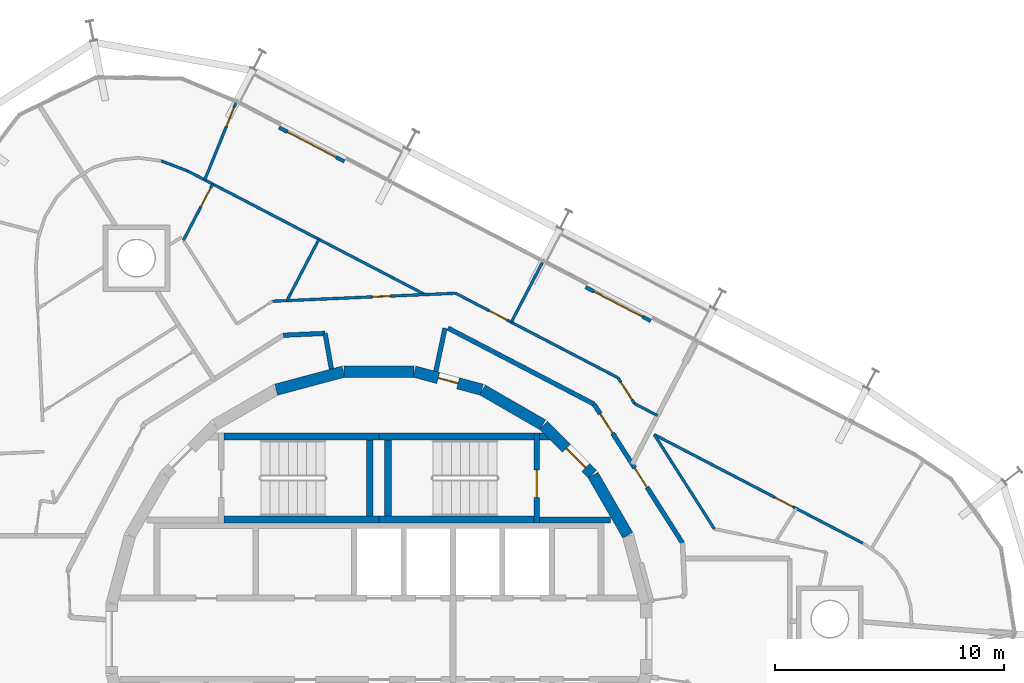
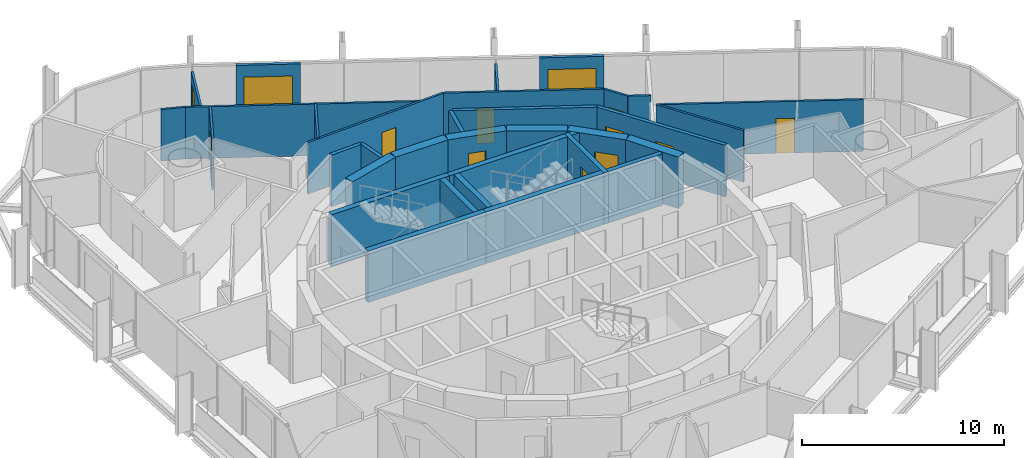
# One storey, part 16 of 18: 34 walls, 13 doors, 13 openings.
"""IFC4 building model written with IfcOpenShell, lengths in metres."""

from ifc_helpers import new_model, si_unit, direction, frame, frame_2d, origin, place, context, subcontext, project, spatial, polyline, rectangle, outline, extrude, material, layer, layer_set, type_object, element, fill, save


model = new_model("IFC4")

# Units and contexts
model_context = context("Model", 3, precision=1e-05, world=origin(), true_north=direction((0.0, 1.0)))
body_context = subcontext(model_context, "Body", "Model", "MODEL_VIEW")
ifc_project = project(units=[si_unit("LENGTHUNIT", "METRE"), si_unit("AREAUNIT", "SQUARE_METRE"), si_unit("VOLUMEUNIT", "CUBIC_METRE"), si_unit("PLANEANGLEUNIT", "RADIAN"), si_unit("MASSUNIT", "GRAM", prefix="KILO")], contexts=[model_context])

# Site, building, storey
site_placement = place(None, origin())
site = spatial("IfcSite", under=ifc_project, at=site_placement, CompositionType="ELEMENT")
building_placement = place(site_placement, origin())
building = spatial("IfcBuilding", under=site, at=building_placement, Name="Spindle Arch Residences", CompositionType="ELEMENT")
storey_placement = place(building_placement, frame((0.0, 0.0, 233.699951171875)))
storey = spatial("IfcBuildingStorey", under=building, at=storey_placement, Name="L59", CompositionType="ELEMENT", Elevation=233.699951171875)

# Wall
ifc_material_1 = material(Name="Concrete C50/60", Category="concrete")
ifc_layer_1 = layer(ifc_material_1, 0.5)
ifc_layer_set_1 = layer_set([ifc_layer_1], Name="Core outline wall 500")
wall_type_1 = type_object("IfcWallType", Name="Core outline wall 500", PredefinedType="SHEAR", material=ifc_layer_set_1)
wall_1_placement = place(storey_placement, frame((10.84521484375, 4.510498046875, 0.0), z_axis=(0.0, 0.0, 1.0), x_axis=(-0.500087131594, 0.865975092491, 0.0)))
element("IfcWall", 1, at=wall_1_placement, inside=storey, type_object=wall_type_1, Name="Core outline wall 8", PredefinedType="SHEAR", context=body_context, shape_type="SweptSolid", body=[
    extrude(rectangle(XDim=3.03271484375, YDim=0.5, at=frame_2d((1.516357421875, 0.0))), origin(), (0.0, 0.0, 1.0), 3.1201171875),
])

# Wall, opening, door
wall_2_placement = place(storey_placement, frame((9.30810546875, 7.163818359375, 0.0), z_axis=(0.0, 0.0, 1.0), x_axis=(-0.707106781187, 0.707106781187, 0.0)))
wall_2 = element("IfcWall", 2, at=wall_2_placement, inside=storey, type_object=wall_type_1, Name="Core outline wall 9", PredefinedType="SHEAR", context=body_context, shape_type="SweptSolid", body=[
    extrude(rectangle(XDim=3.032470703125, YDim=0.5, at=frame_2d((1.51611328125, 0.0))), origin(), (0.0, 0.0, 1.0), 3.1201171875),
])
opening_1_placement = place(wall_2_placement, frame((0.416259765625, 0.0, 0.0)))
opening_1 = element("IfcOpeningElement", 3, at=opening_1_placement, cuts=wall_2, Name="Opening R6A0-AD01", PredefinedType="OPENING", context=body_context, shape_type="SweptSolid", body=[
    extrude(rectangle(XDim=1.199951171875, YDim=2.10009765625, at=frame_2d((0.60009765625, 1.050048828125))), frame((0.0, 0.260009765625, 0.0), z_axis=(0.0, -1.0, 0.0), x_axis=(1.0, 0.0, 0.0)), (0.0, 0.0, 1.0), 0.52001953125),
])
ifc_material_2 = material(Name="Steel, fire-resisting door", Category="steel")
door_type_1 = type_object("IfcDoorType", Name="Stair airlock door 1200x2100", OperationType="SINGLE_SWING_LEFT", PredefinedType="DOOR", material=ifc_material_2)
door_1_placement = place(opening_1_placement, origin())
door_1 = element("IfcDoor", 4, at=door_1_placement, inside=storey, type_object=door_type_1, Name="Stair airlock door R6A0-AD01", OperationType="SINGLE_SWING_RIGHT", OverallHeight=2.10009765625, OverallWidth=1.199951171875, PredefinedType="DOOR", context=body_context, shape_type="SweptSolid", body=[
    extrude(rectangle(XDim=1.199951171875, YDim=2.10009765625, at=frame_2d((0.60009765625, 1.050048828125))), frame((0.0, 0.02490234375, 0.0), z_axis=(0.0, -1.0, 0.0), x_axis=(1.0, 0.0, 0.0)), (0.0, 0.0, 1.0), 0.050048828125),
])
fill(opening_1, door_1)

# Wall
wall_3_placement = place(storey_placement, frame((7.13671875, 9.32861328125, 0.0), z_axis=(0.0, 0.0, 1.0), x_axis=(-0.865975092491, 0.500087131594, 0.0)))
element("IfcWall", 5, at=wall_3_placement, inside=storey, type_object=wall_type_1, Name="Core outline wall 10", PredefinedType="SHEAR", context=body_context, shape_type="SweptSolid", body=[
    extrude(rectangle(XDim=3.03271484375, YDim=0.5, at=frame_2d((1.516357421875, 0.0))), origin(), (0.0, 0.0, 1.0), 3.1201171875),
])

# Wall, opening, door
wall_4_placement = place(storey_placement, frame((4.479248046875, 10.858154296875, 0.0), z_axis=(0.0, 0.0, 1.0), x_axis=(-0.965948410781, 0.258734743916, 0.0)))
wall_4 = element("IfcWall", 6, at=wall_4_placement, inside=storey, type_object=wall_type_1, Name="Core outline wall 11", PredefinedType="SHEAR", context=body_context, shape_type="SweptSolid", body=[
    extrude(rectangle(XDim=3.03271484375, YDim=0.5, at=frame_2d((1.516357421875, 0.0))), origin(), (0.0, 0.0, 1.0), 3.1201171875),
])
opening_2_placement = place(wall_4_placement, frame((1.066162109375, 0.0, 0.0)))
opening_2 = element("IfcOpeningElement", 7, at=opening_2_placement, cuts=wall_4, Name="Opening R6A0-WD11", PredefinedType="OPENING", context=body_context, shape_type="SweptSolid", body=[
    extrude(rectangle(XDim=0.89990234375, YDim=2.10009765625, at=frame_2d((0.449951171875, 1.050048828125))), frame((0.0, 0.260009765625, 0.0), z_axis=(0.0, -1.0, 0.0), x_axis=(1.0, 0.0, 0.0)), (0.0, 0.0, 1.0), 0.52001953125),
])
ifc_material_3 = material(Name="Steel, fire-resisting door", Category="steel")
door_type_2 = type_object("IfcDoorType", Name="Service room door 900x2100", OperationType="SINGLE_SWING_LEFT", PredefinedType="DOOR", material=ifc_material_3)
door_2_placement = place(opening_2_placement, origin())
door_2 = element("IfcDoor", 8, at=door_2_placement, inside=storey, type_object=door_type_2, Name="Service room door R6A0-WD11", OperationType="SINGLE_SWING_LEFT", OverallHeight=2.10009765625, OverallWidth=0.89990234375, PredefinedType="DOOR", context=body_context, shape_type="SweptSolid", body=[
    extrude(rectangle(XDim=0.89990234375, YDim=2.10009765625, at=frame_2d((0.449951171875, 1.050048828125))), frame((0.0, 0.02490234375, 0.0), z_axis=(0.0, -1.0, 0.0), x_axis=(1.0, 0.0, 0.0)), (0.0, 0.0, 1.0), 0.050048828125),
])
fill(opening_2, door_2)

# Walls
for number, where, z_axis, x_axis, name in (
    (9, (1.516357421875, 11.647216796875, 0.0), (0.0, 0.0, 1.0), (-1.0, 0.0, 0.0), "Core outline wall 12"),
    (10, (-1.5498046875, 11.642822265625, 0.0), (0.0, 0.0, 1.0), (-0.965948410781, -0.258734743916, 0.0), "Core outline wall 13"),
):
    element("IfcWall", number, at=place(storey_placement, frame(where, z_axis=z_axis, x_axis=x_axis)), inside=storey, type_object=wall_type_1, Name=name, PredefinedType="SHEAR", context=body_context, shape_type="SweptSolid", body=[
        extrude(rectangle(XDim=3.03271484375, YDim=0.5, at=frame_2d((1.516357421875, 0.0))), origin(), (0.0, 0.0, 1.0), 3.1201171875),
    ])

# Wall, openings, doors
ifc_material_4 = material(Name="Calcium silicate block, plastered")
ifc_layer_2 = layer(ifc_material_4, 0.199951171875)
ifc_layer_set_2 = layer_set([ifc_layer_2], Name="Corridor wall 200")
wall_type_2 = type_object("IfcWallType", Name="Corridor wall 200", PredefinedType="STANDARD", material=ifc_layer_set_2)
wall_5_placement = place(storey_placement, frame((13.230712890625, 4.171630859375, 0.0), z_axis=(0.0, 0.0, 1.0), x_axis=(-0.537304397561, 0.843388394728, 0.0)))
wall_5 = element("IfcWall", 11, at=wall_5_placement, inside=storey, type_object=wall_type_2, Name="Corridor wall R6A0-W004", PredefinedType="STANDARD", context=body_context, shape_type="SweptSolid", body=[
    extrude(rectangle(XDim=7.180908203125, YDim=0.199951171875, at=frame_2d((3.59033203125, 0.0))), origin(), (0.0, 0.0, 1.0), 3.1201171875),
])
opening_3_placement = place(wall_5_placement, frame((2.881103515625, 0.0, 0.0)))
opening_3 = element("IfcOpeningElement", 12, at=opening_3_placement, cuts=wall_5, Name="Opening R6A0-FD01", PredefinedType="OPENING", context=body_context, shape_type="SweptSolid", body=[
    extrude(rectangle(XDim=1.0, YDim=2.10009765625, at=frame_2d((0.5, 1.050048828125))), frame((0.0, 0.10986328125, 0.0), z_axis=(0.0, -1.0, 0.0), x_axis=(1.0, 0.0, 0.0)), (0.0, 0.0, 1.0), 0.219970703125),
])
opening_4_placement = place(wall_5_placement, frame((5.68115234375, 0.0, 0.0)))
opening_4 = element("IfcOpeningElement", 13, at=opening_4_placement, cuts=wall_5, Name="Opening R6A0-FD02", PredefinedType="OPENING", context=body_context, shape_type="SweptSolid", body=[
    extrude(rectangle(XDim=1.0, YDim=2.10009765625, at=frame_2d((0.5, 1.050048828125))), frame((0.0, 0.10986328125, 0.0), z_axis=(0.0, -1.0, 0.0), x_axis=(1.0, 0.0, 0.0)), (0.0, 0.0, 1.0), 0.219970703125),
])
ifc_material_5 = material(Name="Timber, fire-resisting door set", Category="wood")
door_type_3 = type_object("IfcDoorType", Name="Flat entrance door 1000x2100", OperationType="NOTDEFINED", PredefinedType="DOOR", material=ifc_material_5)
door_3_placement = place(opening_3_placement, origin())
door_3 = element("IfcDoor", 14, at=door_3_placement, inside=storey, type_object=door_type_3, Name="Flat entrance door R6A0-FD01", OperationType="SINGLE_SWING_LEFT", OverallHeight=2.10009765625, OverallWidth=1.0, PredefinedType="DOOR", context=body_context, shape_type="SweptSolid", body=[
    extrude(rectangle(XDim=1.0, YDim=2.10009765625, at=frame_2d((0.5, 1.050048828125))), frame((0.0, 0.02490234375, 0.0), z_axis=(0.0, -1.0, 0.0), x_axis=(1.0, 0.0, 0.0)), (0.0, 0.0, 1.0), 0.050048828125),
])
fill(opening_3, door_3)
door_4_placement = place(opening_4_placement, origin())
door_4 = element("IfcDoor", 15, at=door_4_placement, inside=storey, type_object=door_type_3, Name="Flat entrance door R6A0-FD02", OperationType="SINGLE_SWING_LEFT", OverallHeight=2.10009765625, OverallWidth=1.0, PredefinedType="DOOR", context=body_context, shape_type="SweptSolid", body=[
    extrude(rectangle(XDim=1.0, YDim=2.10009765625, at=frame_2d((0.5, 1.050048828125))), frame((0.0, 0.02490234375, 0.0), z_axis=(0.0, -1.0, 0.0), x_axis=(1.0, 0.0, 0.0)), (0.0, 0.0, 1.0), 0.050048828125),
])
fill(opening_4, door_4)

# Walls
wall_6_placement = place(storey_placement, frame((9.372314453125, 10.22802734375, 0.0), z_axis=(0.0, 0.0, 1.0), x_axis=(-0.887005184532, 0.461759464021, 0.0)))
element("IfcWall", 16, at=wall_6_placement, inside=storey, type_object=wall_type_2, Name="Corridor wall R6A0-W005", PredefinedType="STANDARD", context=body_context, shape_type="SweptSolid", body=[
    extrude(rectangle(XDim=7.18115234375, YDim=0.199951171875, at=frame_2d((3.590576171875, 0.0))), origin(), (0.0, 0.0, 1.0), 3.1201171875),
])
wall_7_placement = place(storey_placement, frame((2.877685546875, 13.538330078125, 0.0), z_axis=(0.0, 0.0, 1.0), x_axis=(-0.207893604596, -0.978151444904, 0.0)))
element("IfcWall", 17, at=wall_7_placement, inside=storey, type_object=wall_type_2, Name="Corridor wall R6A0-W006", PredefinedType="STANDARD", context=body_context, shape_type="SweptSolid", body=[
    extrude(rectangle(XDim=1.927001953125, YDim=0.199951171875, at=frame_2d((0.96337890625, 0.0))), origin(), (0.0, 0.0, 1.0), 3.1201171875),
])
wall_8_placement = place(storey_placement, frame((-2.07373046875, 11.76123046875, 0.0), z_axis=(0.0, 0.0, 1.0), x_axis=(-0.173679082312, 0.984802303189, 0.0)))
element("IfcWall", 18, at=wall_8_placement, inside=storey, type_object=wall_type_2, Name="Corridor wall R6A0-W010", PredefinedType="STANDARD", context=body_context, shape_type="SweptSolid", body=[
    extrude(rectangle(XDim=1.572998046875, YDim=0.199951171875, at=frame_2d((0.78662109375, 0.0))), origin(), (0.0, 0.0, 1.0), 3.1201171875),
])
wall_9_placement = place(storey_placement, frame((-2.346923828125, 13.310302734375, 0.0), z_axis=(0.0, 0.0, 1.0), x_axis=(-0.999050095671, -0.043576442492, 0.0)))
element("IfcWall", 19, at=wall_9_placement, inside=storey, type_object=wall_type_2, Name="Corridor wall R6A0-W011", PredefinedType="STANDARD", context=body_context, shape_type="SweptSolid", body=[
    extrude(rectangle(XDim=1.826416015625, YDim=0.199951171875, at=frame_2d((0.9130859375, 0.0))), origin(), (0.0, 0.0, 1.0), 3.1201171875),
])
ifc_material_6 = material(Name="Plasterboard on steel studs", Category="steel")
ifc_layer_3 = layer(ifc_material_6, 0.1201171875)
ifc_layer_set_3 = layer_set([ifc_layer_3], Name="Flat partition 120")
wall_type_3 = type_object("IfcWallType", Name="Flat partition 120", PredefinedType="PARTITIONING", material=ifc_layer_set_3)
wall_10_placement = place(storey_placement, frame((14.615478515625, 4.78955078125, 0.0), z_axis=(0.0, 0.0, 1.0), x_axis=(-0.537312928062, 0.843382960071, 0.0)))
element("IfcWall", 20, at=wall_10_placement, inside=storey, type_object=wall_type_3, Name="Flat partition R6A0-W043", PredefinedType="PARTITIONING", context=body_context, shape_type="SweptSolid", body=[
    extrude(rectangle(XDim=4.87451171875, YDim=0.1201171875, at=frame_2d((2.437255859375, 0.0))), origin(), (0.0, 0.0, 1.0), 3.1201171875),
])

# Wall, opening, door
wall_11_placement = place(storey_placement, frame((21.085205078125, 4.16943359375, 0.0), z_axis=(0.0, 0.0, 1.0), x_axis=(-0.887017373034, 0.461736050071, 0.0)))
wall_11 = element("IfcWall", 21, at=wall_11_placement, inside=storey, type_object=wall_type_3, Name="Flat partition R6A0-W051", PredefinedType="PARTITIONING", context=body_context, shape_type="SweptSolid", body=[
    extrude(rectangle(XDim=10.24658203125, YDim=0.1201171875, at=frame_2d((5.123291015625, 0.0))), origin(), (0.0, 0.0, 1.0), 3.1201171875),
])
opening_5_placement = place(wall_11_placement, frame((3.42529296875, 0.0, 0.0)))
opening_5 = element("IfcOpeningElement", 22, at=opening_5_placement, cuts=wall_11, Name="Opening R6A0-ID02", PredefinedType="OPENING", context=body_context, shape_type="SweptSolid", body=[
    extrude(rectangle(XDim=0.89990234375, YDim=2.10009765625, at=frame_2d((0.449951171875, 1.050048828125))), frame((0.0, 0.070068359375, 0.0), z_axis=(0.0, -1.0, 0.0), x_axis=(1.0, 0.0, 0.0)), (0.0, 0.0, 1.0), 0.14013671875),
])
ifc_material_7 = material(Name="Timber door set", Category="wood")
door_type_4 = type_object("IfcDoorType", Name="Room door 900x2100", OperationType="NOTDEFINED", PredefinedType="DOOR", material=ifc_material_7)
door_5_placement = place(opening_5_placement, origin())
door_5 = element("IfcDoor", 23, at=door_5_placement, inside=storey, type_object=door_type_4, Name="Room door R6A0-ID02", OperationType="SINGLE_SWING_LEFT", OverallHeight=2.10009765625, OverallWidth=0.89990234375, PredefinedType="DOOR", context=body_context, shape_type="SweptSolid", body=[
    extrude(rectangle(XDim=0.89990234375, YDim=2.10009765625, at=frame_2d((0.449951171875, 1.050048828125))), frame((0.0, 0.02490234375, 0.0), z_axis=(0.0, -1.0, 0.0), x_axis=(1.0, 0.0, 0.0)), (0.0, 0.0, 1.0), 0.050048828125),
])
fill(opening_5, door_5)

# Wall
wall_12_placement = place(storey_placement, frame((12.138671875, 9.728515625, 0.0), z_axis=(0.0, 0.0, 1.0), x_axis=(-0.887046876331, 0.461679368383, 0.0)))
element("IfcWall", 24, at=wall_12_placement, inside=storey, type_object=wall_type_3, Name="Flat partition R6A0-W052", PredefinedType="PARTITIONING", context=body_context, shape_type="SweptSolid", body=[
    extrude(rectangle(XDim=1.129638671875, YDim=0.1201171875, at=frame_2d((0.56494140625, 0.0))), origin(), (0.0, 0.0, 1.0), 3.1201171875),
])

# Wall, opening, door
wall_13_placement = place(storey_placement, frame((11.13671875, 10.25, 0.0), z_axis=(0.0, 0.0, 1.0), x_axis=(-0.537231369635, 0.843434914786, 0.0)))
wall_13 = element("IfcWall", 25, at=wall_13_placement, inside=storey, type_object=wall_type_3, Name="Flat partition R6A0-W053", PredefinedType="PARTITIONING", context=body_context, shape_type="SweptSolid", body=[
    extrude(rectangle(XDim=1.33154296875, YDim=0.1201171875, at=frame_2d((0.665771484375, 0.0))), origin(), (0.0, 0.0, 1.0), 3.1201171875),
])
opening_6_placement = place(wall_13_placement, frame((0.199951171875, 0.0, 0.0)))
opening_6 = element("IfcOpeningElement", 26, at=opening_6_placement, cuts=wall_13, Name="Opening R6A0-ID04", PredefinedType="OPENING", context=body_context, shape_type="SweptSolid", body=[
    extrude(rectangle(XDim=0.89990234375, YDim=2.10009765625, at=frame_2d((0.449951171875, 1.050048828125))), frame((0.0, 0.070068359375, 0.0), z_axis=(0.0, -1.0, 0.0), x_axis=(1.0, 0.0, 0.0)), (0.0, 0.0, 1.0), 0.14013671875),
])
door_6_placement = place(opening_6_placement, origin())
door_6 = element("IfcDoor", 27, at=door_6_placement, inside=storey, type_object=door_type_4, Name="Room door R6A0-ID04", OperationType="SINGLE_SWING_LEFT", OverallHeight=2.10009765625, OverallWidth=0.89990234375, PredefinedType="DOOR", context=body_context, shape_type="SweptSolid", body=[
    extrude(rectangle(XDim=0.89990234375, YDim=2.10009765625, at=frame_2d((0.449951171875, 1.050048828125))), frame((0.0, 0.02490234375, 0.0), z_axis=(0.0, -1.0, 0.0), x_axis=(1.0, 0.0, 0.0)), (0.0, 0.0, 1.0), 0.050048828125),
])
fill(opening_6, door_6)

wall_14_placement = place(storey_placement, frame((10.42138671875, 11.373046875, 0.0), z_axis=(0.0, 0.0, 1.0), x_axis=(-0.887012970857, 0.461744506769, 0.0)))
wall_14 = element("IfcWall", 28, at=wall_14_placement, inside=storey, type_object=wall_type_3, Name="Flat partition R6A0-W054", PredefinedType="PARTITIONING", context=body_context, shape_type="SweptSolid", body=[
    extrude(rectangle(XDim=7.98486328125, YDim=0.1201171875, at=frame_2d((3.992431640625, 0.0))), origin(), (0.0, 0.0, 1.0), 3.1201171875),
])
opening_7_placement = place(wall_14_placement, frame((5.447509765625, 0.0, 0.0)))
opening_7 = element("IfcOpeningElement", 29, at=opening_7_placement, cuts=wall_14, Name="Opening R6A0-ID05", PredefinedType="OPENING", context=body_context, shape_type="SweptSolid", body=[
    extrude(rectangle(XDim=0.89990234375, YDim=2.10009765625, at=frame_2d((0.449951171875, 1.050048828125))), frame((0.0, 0.070068359375, 0.0), z_axis=(0.0, -1.0, 0.0), x_axis=(1.0, 0.0, 0.0)), (0.0, 0.0, 1.0), 0.14013671875),
])
door_7_placement = place(opening_7_placement, origin())
door_7 = element("IfcDoor", 30, at=door_7_placement, inside=storey, type_object=door_type_4, Name="Room door R6A0-ID05", OperationType="SINGLE_SWING_RIGHT", OverallHeight=2.10009765625, OverallWidth=0.89990234375, PredefinedType="DOOR", context=body_context, shape_type="SweptSolid", body=[
    extrude(rectangle(XDim=0.89990234375, YDim=2.10009765625, at=frame_2d((0.449951171875, 1.050048828125))), frame((0.0, 0.02490234375, 0.0), z_axis=(0.0, -1.0, 0.0), x_axis=(1.0, 0.0, 0.0)), (0.0, 0.0, 1.0), 0.050048828125),
])
fill(opening_7, door_7)

wall_15_placement = place(storey_placement, frame((3.338623046875, 15.06005859375, 0.0), z_axis=(0.0, 0.0, 1.0), x_axis=(-0.999047716945, -0.043630943905, 0.0)))
wall_15 = element("IfcWall", 31, at=wall_15_placement, inside=storey, type_object=wall_type_3, Name="Flat partition R6A0-W055", PredefinedType="PARTITIONING", context=body_context, shape_type="SweptSolid", body=[
    extrude(rectangle(XDim=7.98486328125, YDim=0.1201171875, at=frame_2d((3.992431640625, 0.0))), origin(), (0.0, 0.0, 1.0), 3.1201171875),
])
opening_8_placement = place(wall_15_placement, frame((2.831298828125, 0.0, 0.0)))
opening_8 = element("IfcOpeningElement", 32, at=opening_8_placement, cuts=wall_15, Name="Opening R6A0-BD02", PredefinedType="OPENING", context=body_context, shape_type="SweptSolid", body=[
    extrude(rectangle(XDim=0.800048828125, YDim=2.10009765625, at=frame_2d((0.39990234375, 1.050048828125))), frame((0.0, 0.070068359375, 0.0), z_axis=(0.0, -1.0, 0.0), x_axis=(1.0, 0.0, 0.0)), (0.0, 0.0, 1.0), 0.14013671875),
])
ifc_material_8 = material(Name="Timber door set", Category="wood")
door_type_5 = type_object("IfcDoorType", Name="Bathroom door 800x2100", OperationType="NOTDEFINED", PredefinedType="DOOR", material=ifc_material_8)
door_8_placement = place(opening_8_placement, origin())
door_8 = element("IfcDoor", 33, at=door_8_placement, inside=storey, type_object=door_type_5, Name="Bathroom door R6A0-BD02", OperationType="SINGLE_SWING_RIGHT", OverallHeight=2.10009765625, OverallWidth=0.800048828125, PredefinedType="DOOR", context=body_context, shape_type="SweptSolid", body=[
    extrude(rectangle(XDim=0.800048828125, YDim=2.10009765625, at=frame_2d((0.39990234375, 1.050048828125))), frame((0.0, 0.02490234375, 0.0), z_axis=(0.0, -1.0, 0.0), x_axis=(1.0, 0.0, 0.0)), (0.0, 0.0, 1.0), 0.050048828125),
])
fill(opening_8, door_8)

# Walls
wall_16_placement = place(storey_placement, frame((-8.350341796875, 20.394287109375, 0.0), z_axis=(0.0, 0.0, 1.0), x_axis=(0.887020940825, -0.461729196107, 0.0)))
element("IfcWall", 34, at=wall_16_placement, inside=storey, type_object=wall_type_3, Name="Flat partition R6A0-W060", PredefinedType="PARTITIONING", context=body_context, shape_type="SweptSolid", body=[
    extrude(rectangle(XDim=11.678466796875, YDim=0.1201171875, at=frame_2d((5.83935546875, 0.0))), origin(), (0.0, 0.0, 1.0), 3.1201171875),
])
wall_17_placement = place(storey_placement, frame((-2.619140625, 17.410888671875, 0.0), z_axis=(0.0, 0.0, 1.0), x_axis=(-0.461743141736, -0.887013681439, 0.0)))
element("IfcWall", 35, at=wall_17_placement, inside=storey, type_object=wall_type_3, Name="Flat partition R6A0-W062", PredefinedType="PARTITIONING", context=body_context, shape_type="SweptSolid", body=[
    extrude(rectangle(XDim=3.01220703125, YDim=0.1201171875, at=frame_2d((1.506103515625, 0.0))), origin(), (0.0, 0.0, 1.0), 3.1201171875),
])

# Wall, opening, door
wall_18_placement = place(storey_placement, frame((-7.246826171875, 19.820068359375, 0.0), z_axis=(0.0, 0.0, 1.0), x_axis=(-0.46174004932, -0.887015291218, 0.0)))
wall_18 = element("IfcWall", 36, at=wall_18_placement, inside=storey, type_object=wall_type_3, Name="Flat partition R6A0-W063", PredefinedType="PARTITIONING", context=body_context, shape_type="SweptSolid", body=[
    extrude(rectangle(XDim=2.758544921875, YDim=0.1201171875, at=frame_2d((1.37939453125, 0.0))), origin(), (0.0, 0.0, 1.0), 3.1201171875),
])
opening_9_placement = place(wall_18_placement, frame((0.199951171875, 0.0, 0.0)))
opening_9 = element("IfcOpeningElement", 37, at=opening_9_placement, cuts=wall_18, Name="Opening R6A0-ID07", PredefinedType="OPENING", context=body_context, shape_type="SweptSolid", body=[
    extrude(rectangle(XDim=0.89990234375, YDim=2.10009765625, at=frame_2d((0.449951171875, 1.050048828125))), frame((0.0, 0.070068359375, 0.0), z_axis=(0.0, -1.0, 0.0), x_axis=(1.0, 0.0, 0.0)), (0.0, 0.0, 1.0), 0.14013671875),
])
door_9_placement = place(opening_9_placement, origin())
door_9 = element("IfcDoor", 38, at=door_9_placement, inside=storey, type_object=door_type_4, Name="Room door R6A0-ID07", OperationType="SINGLE_SWING_RIGHT", OverallHeight=2.10009765625, OverallWidth=0.89990234375, PredefinedType="DOOR", context=body_context, shape_type="SweptSolid", body=[
    extrude(rectangle(XDim=0.89990234375, YDim=2.10009765625, at=frame_2d((0.449951171875, 1.050048828125))), frame((0.0, 0.02490234375, 0.0), z_axis=(0.0, -1.0, 0.0), x_axis=(1.0, 0.0, 0.0)), (0.0, 0.0, 1.0), 0.050048828125),
])
fill(opening_9, door_9)

# Walls
wall_19_placement = place(storey_placement, frame((-9.4970703125, 20.830810546875, 0.0), z_axis=(0.0, 0.0, 1.0), x_axis=(0.934575963521, -0.355763641213, 0.0)))
element("IfcWall", 39, at=wall_19_placement, inside=storey, type_object=wall_type_3, Name="Flat partition R6A0-W068", PredefinedType="PARTITIONING", context=body_context, shape_type="SweptSolid", body=[
    extrude(rectangle(XDim=1.22705078125, YDim=0.1201171875, at=frame_2d((0.613525390625, 0.0))), origin(), (0.0, 0.0, 1.0), 3.1201171875),
])
ifc_material_9 = material(Name="Plasterboard on steel studs", Category="steel")
ifc_layer_4 = layer(ifc_material_9, 0.1201171875)
ifc_layer_set_4 = layer_set([ifc_layer_4], Name="Flat partition 120 under beam 2730")
wall_type_4 = type_object("IfcWallType", Name="Flat partition 120 under beam 2730", PredefinedType="PARTITIONING", material=ifc_layer_set_4)
wall_20_placement = place(storey_placement, frame((7.121826171875, 16.398681640625, 0.0), z_axis=(0.0, 0.0, 1.0), x_axis=(-0.461763975246, -0.887002836053, 0.0)))
element("IfcWall", 40, at=wall_20_placement, inside=storey, type_object=wall_type_4, Name="Flat partition R6A0-W059", PredefinedType="PARTITIONING", context=body_context, shape_type="SweptSolid", body=[
    extrude(rectangle(XDim=2.934326171875, YDim=0.1201171875, at=frame_2d((1.46728515625, 0.0))), origin(), (0.0, 0.0, 1.0), 2.72998046875),
])

# Wall, opening, door
wall_21_placement = place(storey_placement, frame((-6.23681640625, 23.352783203125, 0.0), z_axis=(0.0, 0.0, 1.0), x_axis=(-0.375089171101, -0.92698873441, 0.0)))
wall_21 = element("IfcWall", 41, at=wall_21_placement, inside=storey, type_object=wall_type_4, Name="Flat partition R6A0-W061", PredefinedType="PARTITIONING", context=body_context, shape_type="SweptSolid", body=[
    extrude(rectangle(XDim=3.6162109375, YDim=0.1201171875, at=frame_2d((1.80810546875, 0.0))), origin(), (0.0, 0.0, 1.0), 2.72998046875),
])
opening_10_placement = place(wall_21_placement, frame((0.199951171875, 0.0, 0.0)))
opening_10 = element("IfcOpeningElement", 42, at=opening_10_placement, cuts=wall_21, Name="Opening R6A0-ID08", PredefinedType="OPENING", context=body_context, shape_type="SweptSolid", body=[
    extrude(rectangle(XDim=0.89990234375, YDim=2.10009765625, at=frame_2d((0.449951171875, 1.050048828125))), frame((0.0, 0.070068359375, 0.0), z_axis=(0.0, -1.0, 0.0), x_axis=(1.0, 0.0, 0.0)), (0.0, 0.0, 1.0), 0.14013671875),
])
door_10_placement = place(opening_10_placement, origin())
door_10 = element("IfcDoor", 43, at=door_10_placement, inside=storey, type_object=door_type_4, Name="Room door R6A0-ID08", OperationType="SINGLE_SWING_RIGHT", OverallHeight=2.10009765625, OverallWidth=0.89990234375, PredefinedType="DOOR", context=body_context, shape_type="SweptSolid", body=[
    extrude(rectangle(XDim=0.89990234375, YDim=2.10009765625, at=frame_2d((0.449951171875, 1.050048828125))), frame((0.0, 0.02490234375, 0.0), z_axis=(0.0, -1.0, 0.0), x_axis=(1.0, 0.0, 0.0)), (0.0, 0.0, 1.0), 0.050048828125),
])
fill(opening_10, door_10)

ifc_material_10 = material(Name="Non-combustible mineral wool insulated aluminium faced external wall (K0)", Category="aluminium")
ifc_layer_5 = layer(ifc_material_10, 0.159912109375)
ifc_layer_set_5 = layer_set([ifc_layer_5], Name="Insulated external wall panel 160")
wall_type_5 = type_object("IfcWallType", Name="Insulated external wall panel 160", PredefinedType="STANDARD", material=ifc_layer_set_5)
wall_22_placement = place(storey_placement, frame((11.84375, 13.8505859375, 0.0), z_axis=(0.0, 0.0, 1.0), x_axis=(-0.887014349583, 0.461741858221, 0.0)))
wall_22 = element("IfcWall", 44, at=wall_22_placement, inside=storey, type_object=wall_type_5, Name="External wall L59 bay 7", PredefinedType="STANDARD", context=body_context, shape_type="SweptSolid", body=[
    extrude(rectangle(XDim=3.199951171875, YDim=0.159912109375, at=frame_2d((1.60009765625, 0.0))), origin(), (0.0, 0.0, 1.0), 3.1201171875),
])
opening_11_placement = place(wall_22_placement, frame((0.39990234375, 0.0, 0.0)))
opening_11 = element("IfcOpeningElement", 45, at=opening_11_placement, cuts=wall_22, Name="Opening BD07", PredefinedType="OPENING", context=body_context, shape_type="SweptSolid", body=[
    extrude(rectangle(XDim=2.39990234375, YDim=2.39990234375, at=frame_2d((1.199951171875, 1.199951171875))), frame((0.0, 0.08984375, 0.0), z_axis=(0.0, -1.0, 0.0), x_axis=(1.0, 0.0, 0.0)), (0.0, 0.0, 1.0), 0.179931640625),
])
ifc_material_11 = material(Name="Bronze aluminium frame, tinted double glazing", Category="aluminium")
door_type_6 = type_object("IfcDoorType", Name="Sliding glazed balcony door 2400x2400", OperationType="DOUBLE_DOOR_SLIDING", PredefinedType="DOOR", material=ifc_material_11)
door_11_placement = place(opening_11_placement, origin())
door_11 = element("IfcDoor", 46, at=door_11_placement, inside=storey, type_object=door_type_6, Name="Balcony door BD07", OperationType="DOUBLE_DOOR_SLIDING", OverallHeight=2.39990234375, OverallWidth=2.39990234375, PredefinedType="DOOR", context=body_context, shape_type="SweptSolid", body=[
    extrude(rectangle(XDim=2.39990234375, YDim=2.39990234375, at=frame_2d((1.199951171875, 1.199951171875))), frame((0.0, 0.02490234375, 0.0), z_axis=(0.0, -1.0, 0.0), x_axis=(1.0, 0.0, 0.0)), (0.0, 0.0, 1.0), 0.050048828125),
])
fill(opening_11, door_11)

wall_23_placement = place(storey_placement, frame((-1.514892578125, 20.804443359375, 0.0), z_axis=(0.0, 0.0, 1.0), x_axis=(-0.887014349583, 0.461741858221, 0.0)))
wall_23 = element("IfcWall", 47, at=wall_23_placement, inside=storey, type_object=wall_type_5, Name="External wall L59 bay 9", PredefinedType="STANDARD", context=body_context, shape_type="SweptSolid", body=[
    extrude(rectangle(XDim=3.199951171875, YDim=0.159912109375, at=frame_2d((1.60009765625, 0.0))), origin(), (0.0, 0.0, 1.0), 3.1201171875),
])
opening_12_placement = place(wall_23_placement, frame((0.39990234375, 0.0, 0.0)))
opening_12 = element("IfcOpeningElement", 48, at=opening_12_placement, cuts=wall_23, Name="Opening BD09", PredefinedType="OPENING", context=body_context, shape_type="SweptSolid", body=[
    extrude(rectangle(XDim=2.39990234375, YDim=2.39990234375, at=frame_2d((1.199951171875, 1.199951171875))), frame((0.0, 0.08984375, 0.0), z_axis=(0.0, -1.0, 0.0), x_axis=(1.0, 0.0, 0.0)), (0.0, 0.0, 1.0), 0.179931640625),
])
door_12_placement = place(opening_12_placement, origin())
door_12 = element("IfcDoor", 49, at=door_12_placement, inside=storey, type_object=door_type_6, Name="Balcony door BD09", OperationType="DOUBLE_DOOR_SLIDING", OverallHeight=2.39990234375, OverallWidth=2.39990234375, PredefinedType="DOOR", context=body_context, shape_type="SweptSolid", body=[
    extrude(rectangle(XDim=2.39990234375, YDim=2.39990234375, at=frame_2d((1.199951171875, 1.199951171875))), frame((0.0, 0.02490234375, 0.0), z_axis=(0.0, -1.0, 0.0), x_axis=(1.0, 0.0, 0.0)), (0.0, 0.0, 1.0), 0.050048828125),
])
fill(opening_12, door_12)

# Walls
ifc_material_12 = material(Name="Concrete C40/50", Category="concrete")
ifc_layer_6 = layer(ifc_material_12, 0.25)
ifc_layer_set_6 = layer_set([ifc_layer_6], Name="Stair airlock wall 250")
wall_type_6 = type_object("IfcWallType", Name="Stair airlock wall 250", PredefinedType="SHEAR", material=ifc_layer_set_6)
wall_24_placement = place(storey_placement, frame((7.0, 5.175048828125, 0.0), z_axis=(0.0, 0.0, 1.0), x_axis=(1.0, 0.0, 0.0)))
element("IfcWall", 50, at=wall_24_placement, inside=storey, type_object=wall_type_6, Name="Stair ST-1 airlock wall S", PredefinedType="SHEAR", context=body_context, shape_type="SweptSolid", body=[
    extrude(rectangle(XDim=3.10009765625, YDim=0.25, at=frame_2d((1.550048828125, 0.0))), origin(), (0.0, 0.0, 1.0), 3.1201171875),
])
ifc_material_13 = material(Name="Concrete C40/50", Category="concrete")
wall_type_7 = type_object("IfcWallType", Name="Stair airlock wall profile", PredefinedType="SHEAR", material=ifc_material_13)
wall_25_placement = place(storey_placement, origin())
element("IfcWall", 51, at=wall_25_placement, inside=storey, type_object=wall_type_7, Name="Stair ST-1 airlock wall N", PredefinedType="SHEAR", context=body_context, shape_type="SweptSolid", body=[
    extrude(outline(polyline([(7.4482421875, 8.669921875), (7.0, 8.669921875), (7.0, 8.969970703125), (7.148193359375, 8.969970703125), (7.4482421875, 8.669921875)])), origin(), (0.0, 0.0, 1.0), 3.1201171875),
])

# Wall, opening, door
ifc_material_14 = material(Name="Concrete C50/60", Category="concrete")
ifc_layer_7 = layer(ifc_material_14, 0.25)
ifc_layer_set_7 = layer_set([ifc_layer_7], Name="Stair enclosure wall 250")
wall_type_8 = type_object("IfcWallType", Name="Stair enclosure wall 250", PredefinedType="SHEAR", material=ifc_layer_set_7)
wall_26_placement = place(storey_placement, frame((6.875, 5.050048828125, 0.0), z_axis=(0.0, 0.0, 1.0), x_axis=(0.0, 1.0, 0.0)))
wall_26 = element("IfcWall", 52, at=wall_26_placement, inside=storey, type_object=wall_type_8, Name="Stair ST-1 door wall", PredefinedType="SHEAR", context=body_context, shape_type="SweptSolid", body=[
    extrude(rectangle(XDim=3.919921875, YDim=0.25, at=frame_2d((1.9599609375, 0.0))), origin(), (0.0, 0.0, 1.0), 3.1201171875),
])
opening_13_placement = place(wall_26_placement, frame((1.110107421875, 0.0, 0.0)))
opening_13 = element("IfcOpeningElement", 53, at=opening_13_placement, cuts=wall_26, Name="Opening R6A0-SD01", PredefinedType="OPENING", context=body_context, shape_type="SweptSolid", body=[
    extrude(rectangle(XDim=1.199951171875, YDim=2.10009765625, at=frame_2d((0.60009765625, 1.050048828125))), frame((0.0, 0.135009765625, 0.0), z_axis=(0.0, -1.0, 0.0), x_axis=(1.0, 0.0, 0.0)), (0.0, 0.0, 1.0), 0.27001953125),
])
ifc_material_15 = material(Name="Steel, fire-resisting door", Category="steel")
door_type_7 = type_object("IfcDoorType", Name="Stair door 1200x2100", OperationType="SINGLE_SWING_RIGHT", PredefinedType="DOOR", material=ifc_material_15)
door_13_placement = place(opening_13_placement, origin())
door_13 = element("IfcDoor", 54, at=door_13_placement, inside=storey, type_object=door_type_7, Name="Stair door R6A0-SD01", OperationType="SINGLE_SWING_LEFT", OverallHeight=2.10009765625, OverallWidth=1.199951171875, PredefinedType="DOOR", context=body_context, shape_type="SweptSolid", body=[
    extrude(rectangle(XDim=1.199951171875, YDim=2.10009765625, at=frame_2d((0.60009765625, 1.050048828125))), frame((0.0, 0.02490234375, 0.0), z_axis=(0.0, -1.0, 0.0), x_axis=(1.0, 0.0, 0.0)), (0.0, 0.0, 1.0), 0.050048828125),
])
fill(opening_13, door_13)

# Walls
ifc_material_16 = material(Name="Concrete C50/60", Category="concrete")
ifc_layer_8 = layer(ifc_material_16, 0.300048828125)
ifc_layer_set_8 = layer_set([ifc_layer_8], Name="Stair enclosure wall 300")
wall_type_9 = type_object("IfcWallType", Name="Stair enclosure wall 300", PredefinedType="SHEAR", material=ifc_layer_set_8)
for number, where, z_axis, x_axis, name in (
    (55, (0.0, 5.199951171875, 0.0), (0.0, 0.0, 1.0), (1.0, 0.0, 0.0), "Stair ST-1 enclosure wall S"),
    (56, (0.0, 8.820068359375, 0.0), (0.0, 0.0, 1.0), (1.0, 0.0, 0.0), "Stair ST-1 enclosure wall N"),
):
    element("IfcWall", number, at=place(storey_placement, frame(where, z_axis=z_axis, x_axis=x_axis)), inside=storey, type_object=wall_type_9, Name=name, PredefinedType="SHEAR", context=body_context, shape_type="SweptSolid", body=[
        extrude(rectangle(XDim=6.75, YDim=0.300048828125, at=frame_2d((3.375, 0.0))), origin(), (0.0, 0.0, 1.0), 3.1201171875),
    ])
wall_27_placement = place(storey_placement, frame((0.39990234375, 5.35009765625, 0.0), z_axis=(0.0, 0.0, 1.0), x_axis=(0.0, 1.0, 0.0)))
element("IfcWall", 57, at=wall_27_placement, inside=storey, type_object=wall_type_9, Name="Stair ST-1 enclosure wall F", PredefinedType="SHEAR", context=body_context, shape_type="SweptSolid", body=[
    extrude(rectangle(XDim=3.31982421875, YDim=0.300048828125, at=frame_2d((1.659912109375, 0.0))), origin(), (0.0, 0.0, 1.0), 3.1201171875),
])
for number, where, z_axis, x_axis, name in (
    (58, (-6.75, 5.199951171875, 0.0), (0.0, 0.0, 1.0), (1.0, 0.0, 0.0), "Stair ST-2 enclosure wall S"),
    (59, (-6.75, 8.820068359375, 0.0), (0.0, 0.0, 1.0), (1.0, 0.0, 0.0), "Stair ST-2 enclosure wall N"),
):
    element("IfcWall", number, at=place(storey_placement, frame(where, z_axis=z_axis, x_axis=x_axis)), inside=storey, type_object=wall_type_9, Name=name, PredefinedType="SHEAR", context=body_context, shape_type="SweptSolid", body=[
        extrude(rectangle(XDim=6.75, YDim=0.300048828125, at=frame_2d((3.375, 0.0))), origin(), (0.0, 0.0, 1.0), 3.1201171875),
    ])
wall_28_placement = place(storey_placement, frame((-0.39990234375, 5.35009765625, 0.0), z_axis=(0.0, 0.0, 1.0), x_axis=(0.0, 1.0, 0.0)))
element("IfcWall", 60, at=wall_28_placement, inside=storey, type_object=wall_type_9, Name="Stair ST-2 enclosure wall F", PredefinedType="SHEAR", context=body_context, shape_type="SweptSolid", body=[
    extrude(rectangle(XDim=3.31982421875, YDim=0.300048828125, at=frame_2d((1.659912109375, 0.0))), origin(), (0.0, 0.0, 1.0), 3.1201171875),
])

save(model, "model.ifc")
